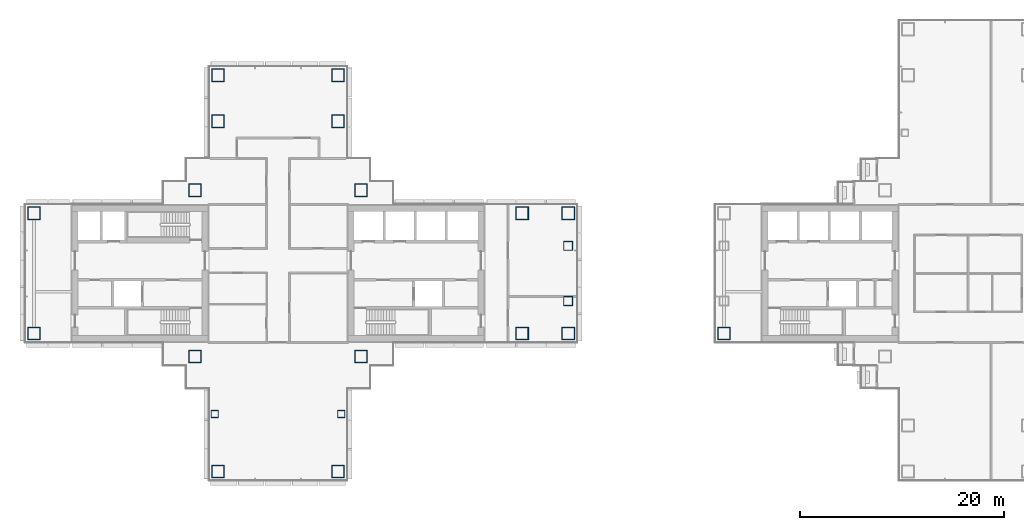
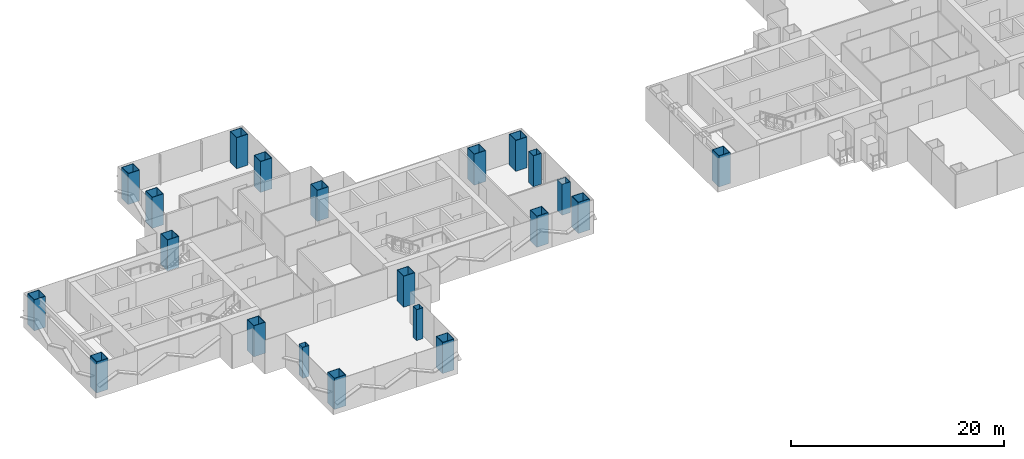
# One storey, part 1 of 19: 21 columns.
"""IFC4 building model written with IfcOpenShell, lengths in metres."""

import ifcopenshell
import ifcopenshell.guid

model = None  # the IFC model being written
_history = None  # IfcOwnerHistory: only IFC2X3 demands one
_inside = {}  # id of a spatial element -> (the spatial element, [elements in it])
_under = {}  # id of a project, library or spatial element -> (it, [spatial elements below it])
_declared = {}  # id of a project -> (the project, [libraries it declares])
_typed = {}  # id of a type object -> (the type object, [elements of that type])
_made_of = {}  # id of a material, layer set ... -> (it, [elements and type objects made of it])


def new_model(schema):
    """Start an empty IFC model of exactly this schema.

    Asked for "IFC4X3", IfcOpenShell would pick the latest addendum, in which some entities
    have other attributes; the version numbers below select the first issue.
    IFC2X3 requires an IfcOwnerHistory on every rooted entity: one is made here for all.
    """
    global model, _history
    if schema == "IFC4X3":
        model = ifcopenshell.file(schema_version=(4, 3, 0, 0))
    else:
        model = ifcopenshell.file(schema=schema)
    _inside.clear()
    _under.clear()
    _declared.clear()
    _typed.clear()
    _made_of.clear()
    _history = None
    if model.schema == "IFC2X3":
        org = make("IfcOrganization", Name="unknown")
        user = make(
            "IfcPersonAndOrganization",
            ThePerson=make("IfcPerson", FamilyName="unknown"),
            TheOrganization=org,
        )
        app = make(
            "IfcApplication",
            ApplicationDeveloper=org,
            Version="unknown",
            ApplicationFullName="unknown",
            ApplicationIdentifier="unknown",
        )
        _history = make(
            "IfcOwnerHistory",
            OwningUser=user,
            OwningApplication=app,
            ChangeAction="ADDED",
            CreationDate=0,
        )
    return model


def make(cls, **values):
    """One entity of the class cls with the attributes given. An attribute that is None is left unset."""
    return model.create_entity(
        cls, **{name: value for name, value in values.items() if value is not None}
    )


def rooted(cls, **values):
    """An entity with a GlobalId (a new one), such as an element, a storey or a relation."""
    return make(cls, GlobalId=ifcopenshell.guid.new(), OwnerHistory=_history, **values)


def si_unit(unit_type, name, prefix=None):
    """IfcSIUnit, for example si_unit("LENGTHUNIT", "METRE", prefix="MILLI")."""
    return make("IfcSIUnit", UnitType=unit_type, Prefix=prefix, Name=name)


def assignment(units):
    """IfcUnitAssignment: the units of a project."""
    return None if units is None else make("IfcUnitAssignment", Units=units)


def point(xyz):
    """IfcCartesianPoint."""
    return None if xyz is None else make("IfcCartesianPoint", Coordinates=xyz)


def direction(xyz):
    """IfcDirection."""
    return None if xyz is None else make("IfcDirection", DirectionRatios=xyz)


def frame(location, z_axis=None, x_axis=None):
    """IfcAxis2Placement3D, a coordinate frame: its origin and axes. An axis left out is left unset."""
    return make(
        "IfcAxis2Placement3D",
        Location=point(location),
        Axis=direction(z_axis),
        RefDirection=direction(x_axis),
    )


def frame_2d(location, x_axis=None):
    """IfcAxis2Placement2D, a coordinate frame in the plane: its origin and x axis."""
    return make(
        "IfcAxis2Placement2D", Location=point(location), RefDirection=direction(x_axis)
    )


def origin():
    """The frame at (0, 0, 0) with its axes left unset."""
    return frame((0.0, 0.0, 0.0))


def origin_2d():
    """The frame at (0, 0) in the plane with its x axis left unset."""
    return frame_2d((0.0, 0.0))


def place(relative_to, where):
    """IfcLocalPlacement: puts the frame where relative to a parent placement (None: the world)."""
    return make(
        "IfcLocalPlacement", PlacementRelTo=relative_to, RelativePlacement=where
    )


def context(
    kind, dimensions, precision=None, world=None, true_north=None, identifier=None
):
    """IfcGeometricRepresentationContext, for example the 3D "Model" context."""
    return make(
        "IfcGeometricRepresentationContext",
        ContextIdentifier=identifier,
        ContextType=kind,
        CoordinateSpaceDimension=dimensions,
        Precision=precision,
        WorldCoordinateSystem=world,
        TrueNorth=true_north,
    )


def subcontext(parent, identifier, kind, view, scale=None):
    """IfcGeometricRepresentationSubContext, for example "Body" below "Model"."""
    return make(
        "IfcGeometricRepresentationSubContext",
        ContextIdentifier=identifier,
        ContextType=kind,
        ParentContext=parent,
        TargetScale=scale,
        TargetView=view,
    )


def project(units=None, contexts=None):
    """IfcProject with its units and contexts."""
    return rooted(
        "IfcProject",
        Name="project",
        RepresentationContexts=contexts,
        UnitsInContext=assignment(units),
    )


def spatial(cls, under=None, at=None, **own):
    """A site, building, storey or space (cls), placed at a placement, below another one or the project."""
    s = rooted(cls, ObjectPlacement=at, **own)
    if under is not None:
        _under.setdefault(under.id(), (under, []))[1].append(s)
    return s


def profile(cls, at=None, kind="AREA", **sizes):
    """A parametric profile (cls). Its sizes go by their IFC names, for example OverallWidth=200.0."""
    return make(cls, ProfileType=kind, Position=at, **sizes)


def hollow_rectangle(**sizes):
    """IfcRectangleHollowProfileDef."""
    return profile("IfcRectangleHollowProfileDef", **sizes)


def extrude(swept, where, along, depth):
    """IfcExtrudedAreaSolid: the profile swept, set in the frame where, extruded along a direction by depth."""
    return make(
        "IfcExtrudedAreaSolid",
        SweptArea=swept,
        Position=where,
        ExtrudedDirection=direction(along),
        Depth=depth,
    )


def shape(context_of_items, identifier, shape_type, items):
    """IfcShapeRepresentation: the items that make up one representation, for example the "Body"."""
    return make(
        "IfcShapeRepresentation",
        ContextOfItems=context_of_items,
        RepresentationIdentifier=identifier,
        RepresentationType=shape_type,
        Items=items,
    )


def material(Name=None, Category=None):
    """IfcMaterial."""
    return make("IfcMaterial", Name=Name, Category=Category)


def material_profile(
    of_material, cross_section, Name=None, Category=None, Priority=None
):
    """IfcMaterialProfile: a cross section and its material."""
    return make(
        "IfcMaterialProfile",
        Name=Name,
        Material=of_material,
        Profile=cross_section,
        Priority=Priority,
        Category=Category,
    )


def profile_set(profiles, Name=None, composite=None):
    """IfcMaterialProfileSet."""
    return make(
        "IfcMaterialProfileSet",
        Name=Name,
        MaterialProfiles=profiles,
        CompositeProfile=composite,
    )


def made_of(thing, what):
    """Note that an element or type object is made of a material, layer set ...; save() writes the relation."""
    if what is not None:
        _made_of.setdefault(what.id(), (what, []))[1].append(thing)
    return thing


def type_object(cls, material=None, **own):
    """A type object (cls), such as IfcWallType, which elements share."""
    return made_of(rooted(cls, **own), material)


def element(
    cls,
    number,
    at=None,
    inside=None,
    cuts=None,
    type_object=None,
    material=None,
    context=None,
    identifier="Body",
    shape_type=None,
    held_by="IfcProductDefinitionShape",
    body=None,
    shapes=None,
    **own,
):
    """One element of the class cls, such as IfcWall. Its Tag is "e" and its number.

    at: its placement. inside: the storey or other place that contains it. cuts: it is an
    opening in that element (IfcRelVoidsElement). A single representation is given by context,
    identifier, shape_type and body (its items); several are given by shapes. held_by: the class
    of the entity that holds the representations. save() writes the other relations.
    """
    e = rooted(cls, Tag="e%d" % number, ObjectPlacement=at, **own)
    if body is not None:
        shapes = [shape(context, identifier, shape_type, body)]
    if shapes is not None:
        e.Representation = make(held_by, Representations=shapes)
    if inside is not None:
        _inside.setdefault(inside.id(), (inside, []))[1].append(e)
    if cuts is not None:
        rooted(
            "IfcRelVoidsElement", RelatingBuildingElement=cuts, RelatedOpeningElement=e
        )
    if type_object is not None:
        _typed.setdefault(type_object.id(), (type_object, []))[1].append(e)
    return made_of(e, material)


def aggregate(whole, parts):
    """IfcRelAggregates: a whole, such as a stair, and the parts it consists of."""
    return rooted("IfcRelAggregates", RelatingObject=whole, RelatedObjects=parts)


def save(model, path):
    """Write the relations noted so far, then the file.

    IfcRelAggregates (storeys below a building ...), IfcRelContainedInSpatialStructure (elements
    in a storey), IfcRelDefinesByType, IfcRelAssociatesMaterial and IfcRelDeclares: one each for
    every whole, place, type object, material and project.
    """
    for whole, parts in _under.values():
        aggregate(whole, parts)
    for where, things in _inside.values():
        rooted(
            "IfcRelContainedInSpatialStructure",
            RelatedElements=things,
            RelatingStructure=where,
        )
    for kind, things in _typed.values():
        rooted("IfcRelDefinesByType", RelatedObjects=things, RelatingType=kind)
    for what, things in _made_of.values():
        rooted("IfcRelAssociatesMaterial", RelatedObjects=things, RelatingMaterial=what)
    for by, libraries in _declared.values():
        rooted("IfcRelDeclares", RelatingContext=by, RelatedDefinitions=libraries)
    model.write(path)


model = new_model("IFC4")

# Units and contexts
model_context = context("Model", 3, precision=1e-05, world=origin(), true_north=direction((0.0, 1.0)))
body_context = subcontext(model_context, "Body", "Model", "MODEL_VIEW")
ifc_project = project(units=[si_unit("LENGTHUNIT", "METRE"), si_unit("AREAUNIT", "SQUARE_METRE"), si_unit("VOLUMEUNIT", "CUBIC_METRE"), si_unit("PLANEANGLEUNIT", "RADIAN"), si_unit("MASSUNIT", "GRAM", prefix="KILO")], contexts=[model_context])

# Site, building, storey
site_placement = place(None, origin())
site = spatial("IfcSite", under=ifc_project, at=site_placement, CompositionType="ELEMENT")
building_placement = place(site_placement, origin())
building = spatial("IfcBuilding", under=site, at=building_placement, Name="Shamsa Quay Exchange Towers", CompositionType="ELEMENT")
storey_placement = place(building_placement, frame((0.0, 0.0, 89.699951171875)))
storey = spatial("IfcBuildingStorey", under=building, at=storey_placement, Name="L20", CompositionType="ELEMENT", Elevation=89.699951171875)

# Columns
ifc_material_1 = material(Name="Concrete-filled steel tube S355 / C80/95", Category="concrete")
ifc_material_profile_1 = material_profile(ifc_material_1, hollow_rectangle(XDim=1.25, YDim=1.25, WallThickness=0.050048828125, at=origin_2d()), Name="CFT 1250x1250x50")
ifc_profile_set_1 = profile_set([ifc_material_profile_1], Name="Concrete-filled steel tube S355 / C80/95")
column_type_1 = type_object("IfcColumnType", Name="Column CFT 1250x1250x50", PredefinedType="COLUMN", material=ifc_profile_set_1)
for number, where, name in (
    (1, (-25.625, 8.125, 0.0), "Mega column T1-CM01"),
    (2, (-25.625, -8.125, 0.0), "Mega column T1-CM02"),
    (3, (-41.875, 8.125, 0.0), "Mega column T1-CM03"),
    (4, (-41.875, -8.125, 0.0), "Mega column T1-CM04"),
    (5, (-9.875, -5.875, 0.0), "Mega column T1-CM05"),
    (6, (-5.375, -5.875, 0.0), "Mega column T1-CM06"),
    (7, (-9.875, 5.875, 0.0), "Mega column T1-CM07"),
    (8, (-5.375, 5.875, 0.0), "Mega column T1-CM08"),
    (9, (-57.625, -5.875, 0.0), "Mega column T1-CM09"),
    (10, (-57.625, 5.875, 0.0), "Mega column T1-CM11"),
    (11, (-39.625, 14.875, 0.0), "Mega column T1-CM13"),
    (12, (-39.625, 19.375, 0.0), "Mega column T1-CM14"),
    (13, (-27.875, 14.875, 0.0), "Mega column T1-CM16"),
    (14, (-27.875, 19.375, 0.0), "Mega column T1-CM17"),
    (15, (-39.625, -19.375, 0.0), "Mega column T1-CM20"),
    (16, (-27.875, -19.375, 0.0), "Mega column T1-CM23"),
    (17, (9.875, -5.875, 0.0), "Mega column T2-CM19"),
):
    element("IfcColumn", number, at=place(storey_placement, frame(where)), inside=storey, type_object=column_type_1, Name=name, PredefinedType="COLUMN", context=body_context, shape_type="SweptSolid", body=[
        extrude(hollow_rectangle(XDim=1.25, YDim=1.25, WallThickness=0.050048828125, at=origin_2d()), origin(), (0.0, 0.0, 1.0), 3.550048828125),
    ])
ifc_material_2 = material(Name="Concrete-filled steel tube S355 / C60/75", Category="concrete")
ifc_material_profile_2 = material_profile(ifc_material_2, hollow_rectangle(XDim=0.699951171875, YDim=0.699951171875, WallThickness=0.02490234375, at=origin_2d()), Name="CFT 700x700x25")
ifc_profile_set_2 = profile_set([ifc_material_profile_2], Name="Concrete-filled steel tube S355 / C60/75")
column_type_2 = type_object("IfcColumnType", Name="Column CFT 700x700x25", PredefinedType="COLUMN", material=ifc_profile_set_2)
for number, where, name in (
    (18, (-39.9375, -13.75, 0.0), "Perimeter column T1-CP19"),
    (19, (-27.5625, -13.75, 0.0), "Perimeter column T1-CP22"),
):
    element("IfcColumn", number, at=place(storey_placement, frame(where)), inside=storey, type_object=column_type_2, Name=name, PredefinedType="COLUMN", context=body_context, shape_type="SweptSolid", body=[
        extrude(hollow_rectangle(XDim=0.699951171875, YDim=0.699951171875, WallThickness=0.02490234375, at=origin_2d()), origin(), (0.0, 0.0, 1.0), 3.550048828125),
    ])
ifc_material_3 = material(Name="Concrete-filled steel tube S355 / C70/85", Category="concrete")
ifc_material_profile_3 = material_profile(ifc_material_3, hollow_rectangle(XDim=0.89990234375, YDim=0.89990234375, WallThickness=0.035888671875, at=origin_2d()), Name="CFT 900x900x36")
ifc_profile_set_3 = profile_set([ifc_material_profile_3], Name="Concrete-filled steel tube S355 / C70/85")
column_type_3 = type_object("IfcColumnType", Name="Landing column CFT 900x900x36", PredefinedType="COLUMN", material=ifc_profile_set_3)
for number, where, name in (
    (20, (-5.375, -2.699951171875, 0.0), "Landing column T1 S"),
    (21, (-5.375, 2.699951171875, 0.0), "Landing column T1 N"),
):
    element("IfcColumn", number, at=place(storey_placement, frame(where)), inside=storey, type_object=column_type_3, Name=name, PredefinedType="COLUMN", context=body_context, shape_type="SweptSolid", body=[
        extrude(hollow_rectangle(XDim=0.89990234375, YDim=0.89990234375, WallThickness=0.035888671875, at=origin_2d()), origin(), (0.0, 0.0, 1.0), 3.550048828125),
    ])

save(model, "model.ifc")
